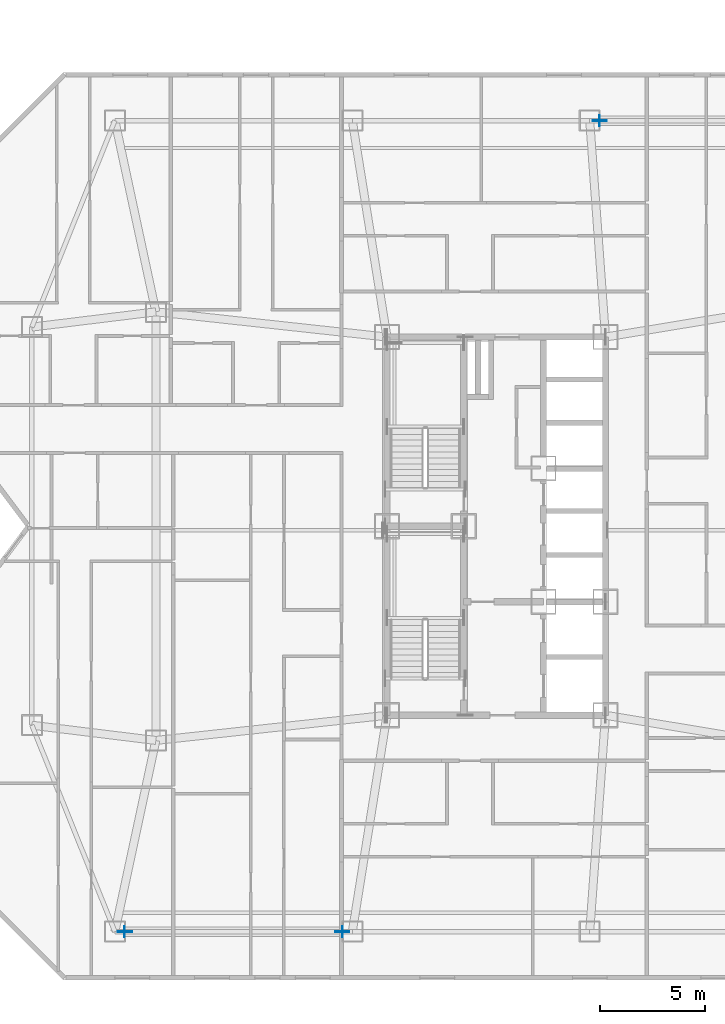
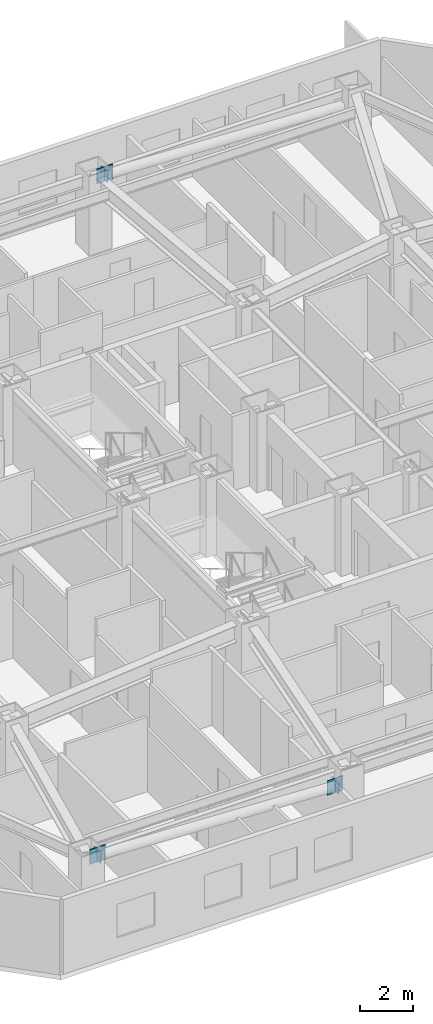
# One storey, part 3 of 11: 6 plates.
"""IFC4 building model written with IfcOpenShell, lengths in metres."""

import ifcopenshell
import ifcopenshell.guid

model = None  # the IFC model being written
_history = None  # IfcOwnerHistory: only IFC2X3 demands one
_inside = {}  # id of a spatial element -> (the spatial element, [elements in it])
_under = {}  # id of a project, library or spatial element -> (it, [spatial elements below it])
_declared = {}  # id of a project -> (the project, [libraries it declares])
_typed = {}  # id of a type object -> (the type object, [elements of that type])
_made_of = {}  # id of a material, layer set ... -> (it, [elements and type objects made of it])


def new_model(schema):
    """Start an empty IFC model of exactly this schema.

    Asked for "IFC4X3", IfcOpenShell would pick the latest addendum, in which some entities
    have other attributes; the version numbers below select the first issue.
    IFC2X3 requires an IfcOwnerHistory on every rooted entity: one is made here for all.
    """
    global model, _history
    if schema == "IFC4X3":
        model = ifcopenshell.file(schema_version=(4, 3, 0, 0))
    else:
        model = ifcopenshell.file(schema=schema)
    _inside.clear()
    _under.clear()
    _declared.clear()
    _typed.clear()
    _made_of.clear()
    _history = None
    if model.schema == "IFC2X3":
        org = make("IfcOrganization", Name="unknown")
        user = make(
            "IfcPersonAndOrganization",
            ThePerson=make("IfcPerson", FamilyName="unknown"),
            TheOrganization=org,
        )
        app = make(
            "IfcApplication",
            ApplicationDeveloper=org,
            Version="unknown",
            ApplicationFullName="unknown",
            ApplicationIdentifier="unknown",
        )
        _history = make(
            "IfcOwnerHistory",
            OwningUser=user,
            OwningApplication=app,
            ChangeAction="ADDED",
            CreationDate=0,
        )
    return model


def make(cls, **values):
    """One entity of the class cls with the attributes given. An attribute that is None is left unset."""
    return model.create_entity(
        cls, **{name: value for name, value in values.items() if value is not None}
    )


def rooted(cls, **values):
    """An entity with a GlobalId (a new one), such as an element, a storey or a relation."""
    return make(cls, GlobalId=ifcopenshell.guid.new(), OwnerHistory=_history, **values)


def si_unit(unit_type, name, prefix=None):
    """IfcSIUnit, for example si_unit("LENGTHUNIT", "METRE", prefix="MILLI")."""
    return make("IfcSIUnit", UnitType=unit_type, Prefix=prefix, Name=name)


def assignment(units):
    """IfcUnitAssignment: the units of a project."""
    return None if units is None else make("IfcUnitAssignment", Units=units)


def point(xyz):
    """IfcCartesianPoint."""
    return None if xyz is None else make("IfcCartesianPoint", Coordinates=xyz)


def direction(xyz):
    """IfcDirection."""
    return None if xyz is None else make("IfcDirection", DirectionRatios=xyz)


def frame(location, z_axis=None, x_axis=None):
    """IfcAxis2Placement3D, a coordinate frame: its origin and axes. An axis left out is left unset."""
    return make(
        "IfcAxis2Placement3D",
        Location=point(location),
        Axis=direction(z_axis),
        RefDirection=direction(x_axis),
    )


def frame_2d(location, x_axis=None):
    """IfcAxis2Placement2D, a coordinate frame in the plane: its origin and x axis."""
    return make(
        "IfcAxis2Placement2D", Location=point(location), RefDirection=direction(x_axis)
    )


def origin():
    """The frame at (0, 0, 0) with its axes left unset."""
    return frame((0.0, 0.0, 0.0))


def origin_2d():
    """The frame at (0, 0) in the plane with its x axis left unset."""
    return frame_2d((0.0, 0.0))


def place(relative_to, where):
    """IfcLocalPlacement: puts the frame where relative to a parent placement (None: the world)."""
    return make(
        "IfcLocalPlacement", PlacementRelTo=relative_to, RelativePlacement=where
    )


def context(
    kind, dimensions, precision=None, world=None, true_north=None, identifier=None
):
    """IfcGeometricRepresentationContext, for example the 3D "Model" context."""
    return make(
        "IfcGeometricRepresentationContext",
        ContextIdentifier=identifier,
        ContextType=kind,
        CoordinateSpaceDimension=dimensions,
        Precision=precision,
        WorldCoordinateSystem=world,
        TrueNorth=true_north,
    )


def subcontext(parent, identifier, kind, view, scale=None):
    """IfcGeometricRepresentationSubContext, for example "Body" below "Model"."""
    return make(
        "IfcGeometricRepresentationSubContext",
        ContextIdentifier=identifier,
        ContextType=kind,
        ParentContext=parent,
        TargetScale=scale,
        TargetView=view,
    )


def project(units=None, contexts=None):
    """IfcProject with its units and contexts."""
    return rooted(
        "IfcProject",
        Name="project",
        RepresentationContexts=contexts,
        UnitsInContext=assignment(units),
    )


def spatial(cls, under=None, at=None, **own):
    """A site, building, storey or space (cls), placed at a placement, below another one or the project."""
    s = rooted(cls, ObjectPlacement=at, **own)
    if under is not None:
        _under.setdefault(under.id(), (under, []))[1].append(s)
    return s


def profile(cls, at=None, kind="AREA", **sizes):
    """A parametric profile (cls). Its sizes go by their IFC names, for example OverallWidth=200.0."""
    return make(cls, ProfileType=kind, Position=at, **sizes)


def rectangle(**sizes):
    """IfcRectangleProfileDef."""
    return profile("IfcRectangleProfileDef", **sizes)


def extrude(swept, where, along, depth):
    """IfcExtrudedAreaSolid: the profile swept, set in the frame where, extruded along a direction by depth."""
    return make(
        "IfcExtrudedAreaSolid",
        SweptArea=swept,
        Position=where,
        ExtrudedDirection=direction(along),
        Depth=depth,
    )


def shape(context_of_items, identifier, shape_type, items):
    """IfcShapeRepresentation: the items that make up one representation, for example the "Body"."""
    return make(
        "IfcShapeRepresentation",
        ContextOfItems=context_of_items,
        RepresentationIdentifier=identifier,
        RepresentationType=shape_type,
        Items=items,
    )


def material(Name=None, Category=None):
    """IfcMaterial."""
    return make("IfcMaterial", Name=Name, Category=Category)


def layer(
    of_material, thickness, ventilated=None, Name=None, Category=None, Priority=None
):
    """IfcMaterialLayer: one layer of a wall or slab, of a material (None: an air gap)."""
    return make(
        "IfcMaterialLayer",
        Material=of_material,
        LayerThickness=thickness,
        IsVentilated=ventilated,
        Name=Name,
        Category=Category,
        Priority=Priority,
    )


def layer_set(layers, Name=None):
    """IfcMaterialLayerSet."""
    return make("IfcMaterialLayerSet", MaterialLayers=layers, LayerSetName=Name)


def made_of(thing, what):
    """Note that an element or type object is made of a material, layer set ...; save() writes the relation."""
    if what is not None:
        _made_of.setdefault(what.id(), (what, []))[1].append(thing)
    return thing


def type_object(cls, material=None, **own):
    """A type object (cls), such as IfcWallType, which elements share."""
    return made_of(rooted(cls, **own), material)


def element(
    cls,
    number,
    at=None,
    inside=None,
    cuts=None,
    type_object=None,
    material=None,
    context=None,
    identifier="Body",
    shape_type=None,
    held_by="IfcProductDefinitionShape",
    body=None,
    shapes=None,
    **own,
):
    """One element of the class cls, such as IfcWall. Its Tag is "e" and its number.

    at: its placement. inside: the storey or other place that contains it. cuts: it is an
    opening in that element (IfcRelVoidsElement). A single representation is given by context,
    identifier, shape_type and body (its items); several are given by shapes. held_by: the class
    of the entity that holds the representations. save() writes the other relations.
    """
    e = rooted(cls, Tag="e%d" % number, ObjectPlacement=at, **own)
    if body is not None:
        shapes = [shape(context, identifier, shape_type, body)]
    if shapes is not None:
        e.Representation = make(held_by, Representations=shapes)
    if inside is not None:
        _inside.setdefault(inside.id(), (inside, []))[1].append(e)
    if cuts is not None:
        rooted(
            "IfcRelVoidsElement", RelatingBuildingElement=cuts, RelatedOpeningElement=e
        )
    if type_object is not None:
        _typed.setdefault(type_object.id(), (type_object, []))[1].append(e)
    return made_of(e, material)


def aggregate(whole, parts):
    """IfcRelAggregates: a whole, such as a stair, and the parts it consists of."""
    return rooted("IfcRelAggregates", RelatingObject=whole, RelatedObjects=parts)


def save(model, path):
    """Write the relations noted so far, then the file.

    IfcRelAggregates (storeys below a building ...), IfcRelContainedInSpatialStructure (elements
    in a storey), IfcRelDefinesByType, IfcRelAssociatesMaterial and IfcRelDeclares: one each for
    every whole, place, type object, material and project.
    """
    for whole, parts in _under.values():
        aggregate(whole, parts)
    for where, things in _inside.values():
        rooted(
            "IfcRelContainedInSpatialStructure",
            RelatedElements=things,
            RelatingStructure=where,
        )
    for kind, things in _typed.values():
        rooted("IfcRelDefinesByType", RelatedObjects=things, RelatingType=kind)
    for what, things in _made_of.values():
        rooted("IfcRelAssociatesMaterial", RelatedObjects=things, RelatingMaterial=what)
    for by, libraries in _declared.values():
        rooted("IfcRelDeclares", RelatingContext=by, RelatedDefinitions=libraries)
    model.write(path)


model = new_model("IFC4")

# Units and contexts
model_context = context("Model", 3, precision=1e-05, world=origin(), true_north=direction((0.0, 1.0)))
body_context = subcontext(model_context, "Body", "Model", "MODEL_VIEW")
ifc_project = project(units=[si_unit("LENGTHUNIT", "METRE"), si_unit("AREAUNIT", "SQUARE_METRE"), si_unit("VOLUMEUNIT", "CUBIC_METRE"), si_unit("PLANEANGLEUNIT", "RADIAN"), si_unit("MASSUNIT", "GRAM", prefix="KILO")], contexts=[model_context])

# Site, building, storey
site_placement = place(None, origin())
site = spatial("IfcSite", under=ifc_project, at=site_placement, CompositionType="ELEMENT")
building_placement = place(site_placement, origin())
building = spatial("IfcBuilding", under=site, at=building_placement, Name="Khamvora Tower", CompositionType="ELEMENT")
storey_placement = place(building_placement, frame((0.0, 0.0, 116.5)))
storey = spatial("IfcBuildingStorey", under=building, at=storey_placement, Name="L29", CompositionType="ELEMENT", Elevation=116.5)

# Plates
ifc_material_1 = material(Name="Steel S355", Category="steel")
ifc_layer_1 = layer(ifc_material_1, 0.02490234375)
ifc_layer_set_1 = layer_set([ifc_layer_1], Name="Steel S355")
plate_type_1 = type_object("IfcPlateType", Name="PL-CAP-25", PredefinedType="SHEET", material=ifc_layer_set_1)
for number, where, z_axis, x_axis, name in (
    (1, (26.882080078125, 8.699951171875, 2.4404296875), (0.0, 0.0, 1.0), (-1.0, 0.0, 0.0), "L29 hollow section steel end cap plate 0760"),
    (2, (16.51806640625, 8.699951171875, 2.884521484375), (0.0, 0.0, 1.0), (-1.0, 0.0, 0.0), "L29 hollow section steel end cap plate 0761"),
    (3, (39.117919921875, 47.300048828125, 2.884521484375), (0.0, 0.0, 1.0), (-1.0, 0.0, 0.0), "L29 hollow section steel end cap plate 0763"),
):
    element("IfcPlate", number, at=place(storey_placement, frame(where, z_axis=z_axis, x_axis=x_axis)), inside=storey, type_object=plate_type_1, Name=name, PredefinedType="SHEET", context=body_context, shape_type="SweptSolid", body=[
        extrude(rectangle(XDim=0.02490234375, YDim=0.51708984375, at=origin_2d()), origin(), (0.0, 0.0, 1.0), 0.51708984375),
    ])
ifc_material_2 = material(Name="Steel S460", Category="steel")
ifc_layer_2 = layer(ifc_material_2, 0.0400390625)
ifc_layer_set_2 = layer_set([ifc_layer_2], Name="Steel S460")
plate_type_2 = type_object("IfcPlateType", Name="PLT-GUS-40", PredefinedType="SHEET", material=ifc_layer_set_2)
for number, where, z_axis, x_axis, name in (
    (4, (26.8701171875, 8.699951171875, 2.35986328125), (0.0, 0.0, 1.0), (1.0, 0.0, 0.0), "L29 brace connection node gusset plate 0193"),
    (5, (16.530029296875, 8.699951171875, 2.80224609375), (0.0, 0.0, 1.0), (1.0, 0.0, 0.0), "L29 brace connection node gusset plate 0194"),
    (6, (39.1298828125, 47.300048828125, 2.80224609375), (0.0, 0.0, 1.0), (1.0, 0.0, 0.0), "L29 brace connection node gusset plate 0196"),
):
    element("IfcPlate", number, at=place(storey_placement, frame(where, z_axis=z_axis, x_axis=x_axis)), inside=storey, type_object=plate_type_2, Name=name, PredefinedType="SHEET", context=body_context, shape_type="SweptSolid", body=[
        extrude(rectangle(XDim=0.679931640625, YDim=0.0400390625, at=origin_2d()), origin(), (0.0, 0.0, 1.0), 0.679931640625),
    ])

save(model, "model.ifc")
